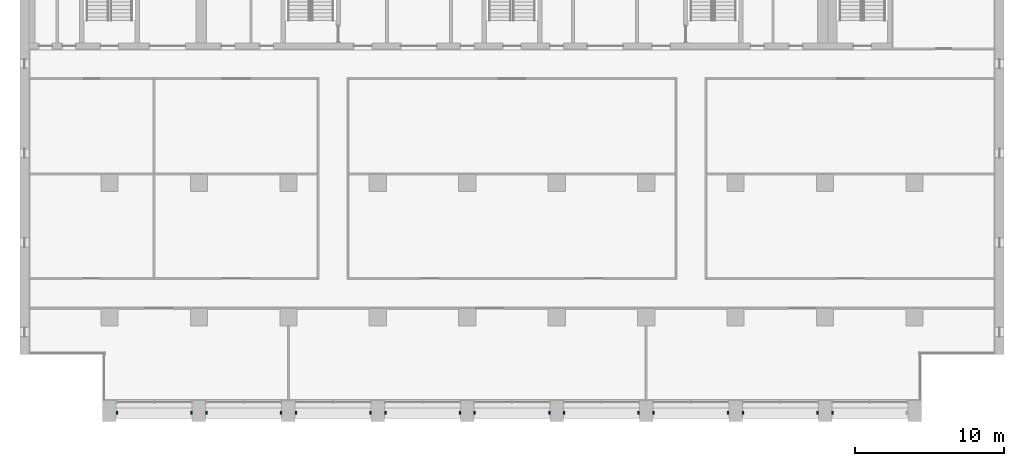
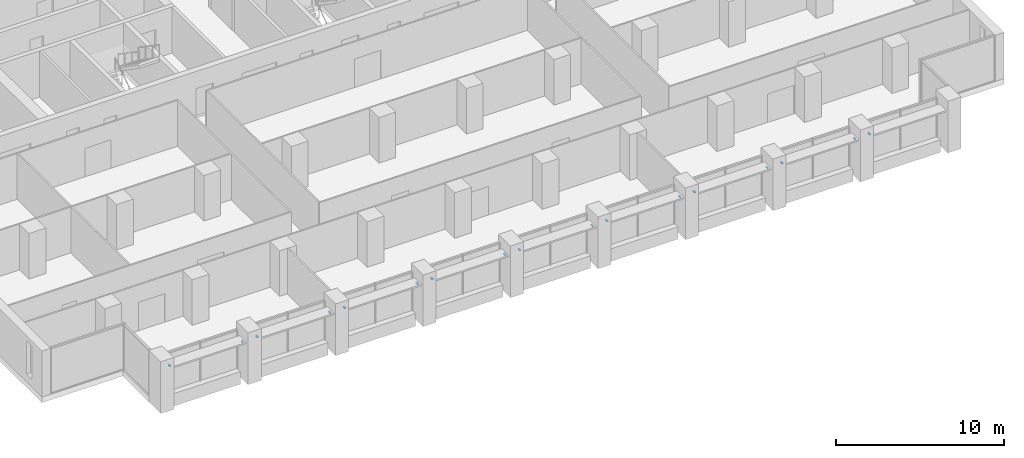
# One storey, part 14 of 16: 17 discrete accessories.
"""IFC4 building model written with IfcOpenShell, lengths in metres."""

from ifc_helpers import new_model, si_unit, direction, frame, origin, origin_2d, place, context, subcontext, project, spatial, rectangle, extrude, element, save


model = new_model("IFC4")

# Units and contexts
model_context = context("Model", 3, precision=1e-05, world=origin(), true_north=direction((0.0, 1.0)))
body_context = subcontext(model_context, "Body", "Model", "MODEL_VIEW")
ifc_project = project(units=[si_unit("LENGTHUNIT", "METRE"), si_unit("AREAUNIT", "SQUARE_METRE"), si_unit("VOLUMEUNIT", "CUBIC_METRE"), si_unit("PLANEANGLEUNIT", "RADIAN"), si_unit("MASSUNIT", "GRAM", prefix="KILO")], contexts=[model_context])

# Site, building, storey
site_placement = place(None, origin())
site = spatial("IfcSite", under=ifc_project, at=site_placement, CompositionType="ELEMENT")
building_placement = place(site_placement, origin())
building = spatial("IfcBuilding", under=site, at=building_placement, Name="Calvaro Tower", CompositionType="ELEMENT")
storey_placement = place(building_placement, frame((0.0, 0.0, 181.75)))
storey = spatial("IfcBuildingStorey", under=building, at=storey_placement, Name="L45", CompositionType="ELEMENT", Elevation=181.75)

# Discrete accessories
for number, where, z_axis, x_axis, name in (
    (1, (12.5, 3.60009765625, 2.349853515625), (0.0, 0.0, 1.0), (1.0, 0.0, 0.0), "Brise-soleil bracket"),
    (2, (17.5, 3.60009765625, 2.349853515625), (0.0, 0.0, 1.0), (1.0, 0.0, 0.0), "Brise-soleil bracket"),
    (3, (18.5, 3.60009765625, 2.349853515625), (0.0, 0.0, 1.0), (1.0, 0.0, 0.0), "Brise-soleil bracket"),
    (4, (23.5, 3.60009765625, 2.349853515625), (0.0, 0.0, 1.0), (1.0, 0.0, 0.0), "Brise-soleil bracket"),
    (5, (24.5, 3.60009765625, 2.349853515625), (0.0, 0.0, 1.0), (1.0, 0.0, 0.0), "Brise-soleil bracket"),
    (6, (29.5, 3.60009765625, 2.349853515625), (0.0, 0.0, 1.0), (1.0, 0.0, 0.0), "Brise-soleil bracket"),
    (7, (30.5, 3.60009765625, 2.349853515625), (0.0, 0.0, 1.0), (1.0, 0.0, 0.0), "Brise-soleil bracket"),
    (8, (35.5, 3.60009765625, 2.349853515625), (0.0, 0.0, 1.0), (1.0, 0.0, 0.0), "Brise-soleil bracket"),
    (9, (36.5, 3.60009765625, 2.349853515625), (0.0, 0.0, 1.0), (1.0, 0.0, 0.0), "Brise-soleil bracket"),
    (10, (41.5, 3.60009765625, 2.349853515625), (0.0, 0.0, 1.0), (1.0, 0.0, 0.0), "Brise-soleil bracket"),
    (11, (42.5, 3.60009765625, 2.349853515625), (0.0, 0.0, 1.0), (1.0, 0.0, 0.0), "Brise-soleil bracket"),
    (12, (47.5, 3.60009765625, 2.349853515625), (0.0, 0.0, 1.0), (1.0, 0.0, 0.0), "Brise-soleil bracket"),
    (13, (48.5, 3.60009765625, 2.349853515625), (0.0, 0.0, 1.0), (1.0, 0.0, 0.0), "Brise-soleil bracket"),
    (14, (53.5, 3.60009765625, 2.349853515625), (0.0, 0.0, 1.0), (1.0, 0.0, 0.0), "Brise-soleil bracket"),
    (15, (54.5, 3.60009765625, 2.349853515625), (0.0, 0.0, 1.0), (1.0, 0.0, 0.0), "Brise-soleil bracket"),
    (16, (59.5, 3.60009765625, 2.349853515625), (0.0, 0.0, 1.0), (1.0, 0.0, 0.0), "Brise-soleil bracket"),
    (17, (60.5, 3.60009765625, 2.349853515625), (0.0, 0.0, 1.0), (1.0, 0.0, 0.0), "Brise-soleil bracket"),
):
    element("IfcDiscreteAccessory", number, at=place(storey_placement, frame(where, z_axis=z_axis, x_axis=x_axis)), inside=storey, Name=name, PredefinedType="BRACKET", context=body_context, shape_type="SweptSolid", body=[
        extrude(rectangle(XDim=0.10009765625, YDim=0.199951171875, at=origin_2d()), origin(), (0.0, 0.0, 1.0), 0.10009765625),
    ])

save(model, "model.ifc")
